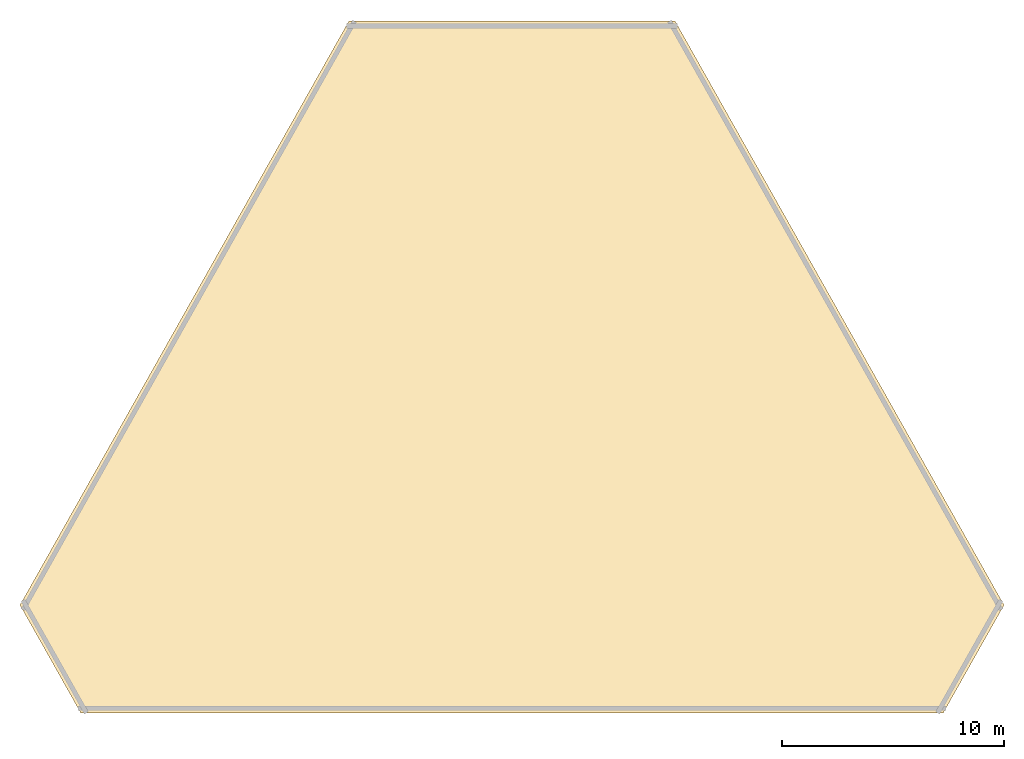
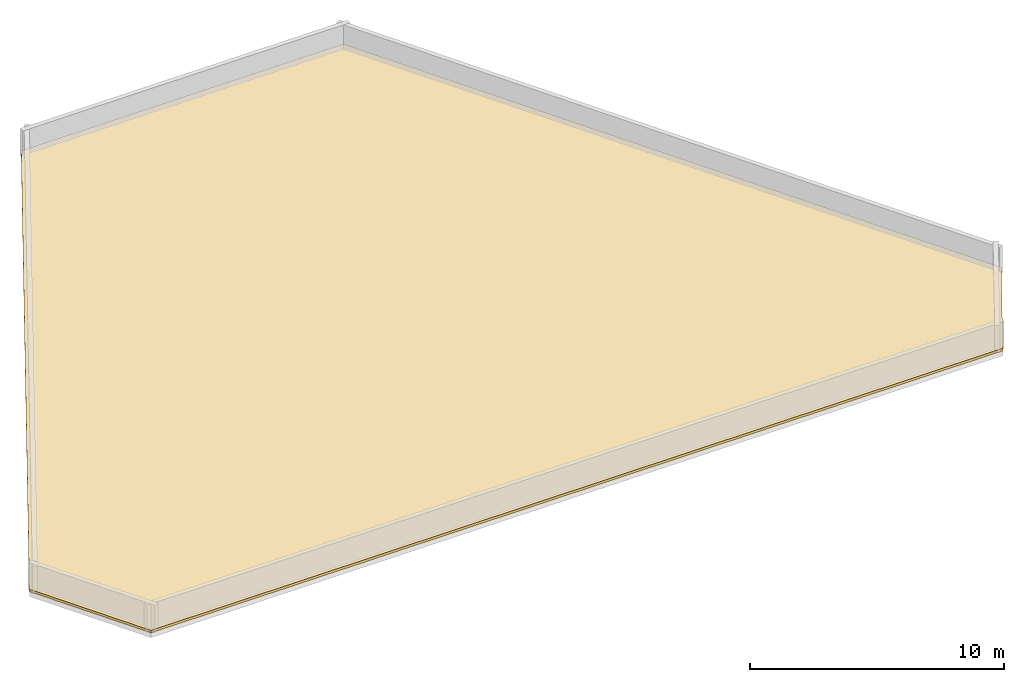
# One storey, part 2 of 2: 1 covering.
"""IFC4 building model written with IfcOpenShell, lengths in metres."""

import ifcopenshell
import ifcopenshell.guid

model = None  # the IFC model being written
_history = None  # IfcOwnerHistory: only IFC2X3 demands one
_inside = {}  # id of a spatial element -> (the spatial element, [elements in it])
_under = {}  # id of a project, library or spatial element -> (it, [spatial elements below it])
_declared = {}  # id of a project -> (the project, [libraries it declares])
_typed = {}  # id of a type object -> (the type object, [elements of that type])
_made_of = {}  # id of a material, layer set ... -> (it, [elements and type objects made of it])


def new_model(schema):
    """Start an empty IFC model of exactly this schema.

    Asked for "IFC4X3", IfcOpenShell would pick the latest addendum, in which some entities
    have other attributes; the version numbers below select the first issue.
    IFC2X3 requires an IfcOwnerHistory on every rooted entity: one is made here for all.
    """
    global model, _history
    if schema == "IFC4X3":
        model = ifcopenshell.file(schema_version=(4, 3, 0, 0))
    else:
        model = ifcopenshell.file(schema=schema)
    _inside.clear()
    _under.clear()
    _declared.clear()
    _typed.clear()
    _made_of.clear()
    _history = None
    if model.schema == "IFC2X3":
        org = make("IfcOrganization", Name="unknown")
        user = make(
            "IfcPersonAndOrganization",
            ThePerson=make("IfcPerson", FamilyName="unknown"),
            TheOrganization=org,
        )
        app = make(
            "IfcApplication",
            ApplicationDeveloper=org,
            Version="unknown",
            ApplicationFullName="unknown",
            ApplicationIdentifier="unknown",
        )
        _history = make(
            "IfcOwnerHistory",
            OwningUser=user,
            OwningApplication=app,
            ChangeAction="ADDED",
            CreationDate=0,
        )
    return model


def make(cls, **values):
    """One entity of the class cls with the attributes given. An attribute that is None is left unset."""
    return model.create_entity(
        cls, **{name: value for name, value in values.items() if value is not None}
    )


def rooted(cls, **values):
    """An entity with a GlobalId (a new one), such as an element, a storey or a relation."""
    return make(cls, GlobalId=ifcopenshell.guid.new(), OwnerHistory=_history, **values)


def si_unit(unit_type, name, prefix=None):
    """IfcSIUnit, for example si_unit("LENGTHUNIT", "METRE", prefix="MILLI")."""
    return make("IfcSIUnit", UnitType=unit_type, Prefix=prefix, Name=name)


def assignment(units):
    """IfcUnitAssignment: the units of a project."""
    return None if units is None else make("IfcUnitAssignment", Units=units)


def point(xyz):
    """IfcCartesianPoint."""
    return None if xyz is None else make("IfcCartesianPoint", Coordinates=xyz)


def direction(xyz):
    """IfcDirection."""
    return None if xyz is None else make("IfcDirection", DirectionRatios=xyz)


def frame(location, z_axis=None, x_axis=None):
    """IfcAxis2Placement3D, a coordinate frame: its origin and axes. An axis left out is left unset."""
    return make(
        "IfcAxis2Placement3D",
        Location=point(location),
        Axis=direction(z_axis),
        RefDirection=direction(x_axis),
    )


def origin():
    """The frame at (0, 0, 0) with its axes left unset."""
    return frame((0.0, 0.0, 0.0))


def place(relative_to, where):
    """IfcLocalPlacement: puts the frame where relative to a parent placement (None: the world)."""
    return make(
        "IfcLocalPlacement", PlacementRelTo=relative_to, RelativePlacement=where
    )


def context(
    kind, dimensions, precision=None, world=None, true_north=None, identifier=None
):
    """IfcGeometricRepresentationContext, for example the 3D "Model" context."""
    return make(
        "IfcGeometricRepresentationContext",
        ContextIdentifier=identifier,
        ContextType=kind,
        CoordinateSpaceDimension=dimensions,
        Precision=precision,
        WorldCoordinateSystem=world,
        TrueNorth=true_north,
    )


def subcontext(parent, identifier, kind, view, scale=None):
    """IfcGeometricRepresentationSubContext, for example "Body" below "Model"."""
    return make(
        "IfcGeometricRepresentationSubContext",
        ContextIdentifier=identifier,
        ContextType=kind,
        ParentContext=parent,
        TargetScale=scale,
        TargetView=view,
    )


def project(units=None, contexts=None):
    """IfcProject with its units and contexts."""
    return rooted(
        "IfcProject",
        Name="project",
        RepresentationContexts=contexts,
        UnitsInContext=assignment(units),
    )


def spatial(cls, under=None, at=None, **own):
    """A site, building, storey or space (cls), placed at a placement, below another one or the project."""
    s = rooted(cls, ObjectPlacement=at, **own)
    if under is not None:
        _under.setdefault(under.id(), (under, []))[1].append(s)
    return s


def polyline(points):
    """IfcPolyline through the points."""
    return make("IfcPolyline", Points=[point(p) for p in points])


def outline(outer, holes=None, kind="AREA"):
    """IfcArbitraryClosedProfileDef: a profile drawn as a closed curve; with holes, ...WithVoids."""
    if holes is None:
        return make("IfcArbitraryClosedProfileDef", ProfileType=kind, OuterCurve=outer)
    return make(
        "IfcArbitraryProfileDefWithVoids",
        ProfileType=kind,
        OuterCurve=outer,
        InnerCurves=holes,
    )


def extrude(swept, where, along, depth):
    """IfcExtrudedAreaSolid: the profile swept, set in the frame where, extruded along a direction by depth."""
    return make(
        "IfcExtrudedAreaSolid",
        SweptArea=swept,
        Position=where,
        ExtrudedDirection=direction(along),
        Depth=depth,
    )


def shape(context_of_items, identifier, shape_type, items):
    """IfcShapeRepresentation: the items that make up one representation, for example the "Body"."""
    return make(
        "IfcShapeRepresentation",
        ContextOfItems=context_of_items,
        RepresentationIdentifier=identifier,
        RepresentationType=shape_type,
        Items=items,
    )


def material(Name=None, Category=None):
    """IfcMaterial."""
    return make("IfcMaterial", Name=Name, Category=Category)


def layer(
    of_material, thickness, ventilated=None, Name=None, Category=None, Priority=None
):
    """IfcMaterialLayer: one layer of a wall or slab, of a material (None: an air gap)."""
    return make(
        "IfcMaterialLayer",
        Material=of_material,
        LayerThickness=thickness,
        IsVentilated=ventilated,
        Name=Name,
        Category=Category,
        Priority=Priority,
    )


def layer_set(layers, Name=None):
    """IfcMaterialLayerSet."""
    return make("IfcMaterialLayerSet", MaterialLayers=layers, LayerSetName=Name)


def made_of(thing, what):
    """Note that an element or type object is made of a material, layer set ...; save() writes the relation."""
    if what is not None:
        _made_of.setdefault(what.id(), (what, []))[1].append(thing)
    return thing


def type_object(cls, material=None, **own):
    """A type object (cls), such as IfcWallType, which elements share."""
    return made_of(rooted(cls, **own), material)


def element(
    cls,
    number,
    at=None,
    inside=None,
    cuts=None,
    type_object=None,
    material=None,
    context=None,
    identifier="Body",
    shape_type=None,
    held_by="IfcProductDefinitionShape",
    body=None,
    shapes=None,
    **own,
):
    """One element of the class cls, such as IfcWall. Its Tag is "e" and its number.

    at: its placement. inside: the storey or other place that contains it. cuts: it is an
    opening in that element (IfcRelVoidsElement). A single representation is given by context,
    identifier, shape_type and body (its items); several are given by shapes. held_by: the class
    of the entity that holds the representations. save() writes the other relations.
    """
    e = rooted(cls, Tag="e%d" % number, ObjectPlacement=at, **own)
    if body is not None:
        shapes = [shape(context, identifier, shape_type, body)]
    if shapes is not None:
        e.Representation = make(held_by, Representations=shapes)
    if inside is not None:
        _inside.setdefault(inside.id(), (inside, []))[1].append(e)
    if cuts is not None:
        rooted(
            "IfcRelVoidsElement", RelatingBuildingElement=cuts, RelatedOpeningElement=e
        )
    if type_object is not None:
        _typed.setdefault(type_object.id(), (type_object, []))[1].append(e)
    return made_of(e, material)


def aggregate(whole, parts):
    """IfcRelAggregates: a whole, such as a stair, and the parts it consists of."""
    return rooted("IfcRelAggregates", RelatingObject=whole, RelatedObjects=parts)


def save(model, path):
    """Write the relations noted so far, then the file.

    IfcRelAggregates (storeys below a building ...), IfcRelContainedInSpatialStructure (elements
    in a storey), IfcRelDefinesByType, IfcRelAssociatesMaterial and IfcRelDeclares: one each for
    every whole, place, type object, material and project.
    """
    for whole, parts in _under.values():
        aggregate(whole, parts)
    for where, things in _inside.values():
        rooted(
            "IfcRelContainedInSpatialStructure",
            RelatedElements=things,
            RelatingStructure=where,
        )
    for kind, things in _typed.values():
        rooted("IfcRelDefinesByType", RelatedObjects=things, RelatingType=kind)
    for what, things in _made_of.values():
        rooted("IfcRelAssociatesMaterial", RelatedObjects=things, RelatingMaterial=what)
    for by, libraries in _declared.values():
        rooted("IfcRelDeclares", RelatingContext=by, RelatedDefinitions=libraries)
    model.write(path)


model = new_model("IFC4")

# Units and contexts
model_context = context("Model", 3, precision=1e-05, world=origin(), true_north=direction((0.0, 1.0)))
body_context = subcontext(model_context, "Body", "Model", "MODEL_VIEW")
ifc_project = project(units=[si_unit("LENGTHUNIT", "METRE"), si_unit("AREAUNIT", "SQUARE_METRE"), si_unit("VOLUMEUNIT", "CUBIC_METRE"), si_unit("PLANEANGLEUNIT", "RADIAN"), si_unit("MASSUNIT", "GRAM", prefix="KILO")], contexts=[model_context])

# Site, building, storey
site_placement = place(None, origin())
site = spatial("IfcSite", under=ifc_project, at=site_placement, CompositionType="ELEMENT")
building_placement = place(site_placement, origin())
building = spatial("IfcBuilding", under=site, at=building_placement, Name="Kavelnor Concourse Tower", CompositionType="ELEMENT")
storey_placement = place(building_placement, frame((0.0, 0.0, 321.449951171875)))
storey = spatial("IfcBuildingStorey", under=building, at=storey_placement, Name="ROOF", CompositionType="ELEMENT", Elevation=321.449951171875)

# Covering
ifc_material = material(Name="Elastomeric waterproofing membrane and rigid insulation")
ifc_layer = layer(ifc_material, 0.1201171875, Name="Elastomeric waterproofing membrane and rigid insulation")
ifc_layer_set = layer_set([ifc_layer], Name="Elastomeric waterproofing membrane and rigid insulation")
covering_type = type_object("IfcCoveringType", Name="COV-ROOF-MEMBRANE", PredefinedType="ROOFING", material=ifc_layer_set)
covering_placement = place(storey_placement, origin())
element("IfcCovering", 1, at=covering_placement, inside=storey, type_object=covering_type, Name="Crown Cap Waterproofing Roof Membrane", PredefinedType="ROOFING", context=body_context, shape_type="SweptSolid", body=[
    extrude(outline(polyline([(45.32958984375, 36.756103515625), (30.67041015625, 36.756103515625), (15.88671875, 10.507568359375), (18.619873046875, 5.655029296875), (57.380126953125, 5.655029296875), (60.11328125, 10.507568359375), (45.32958984375, 36.756103515625)])), origin(), (0.0, 0.0, 1.0), 0.1201171875),
])

save(model, "model.ifc")
